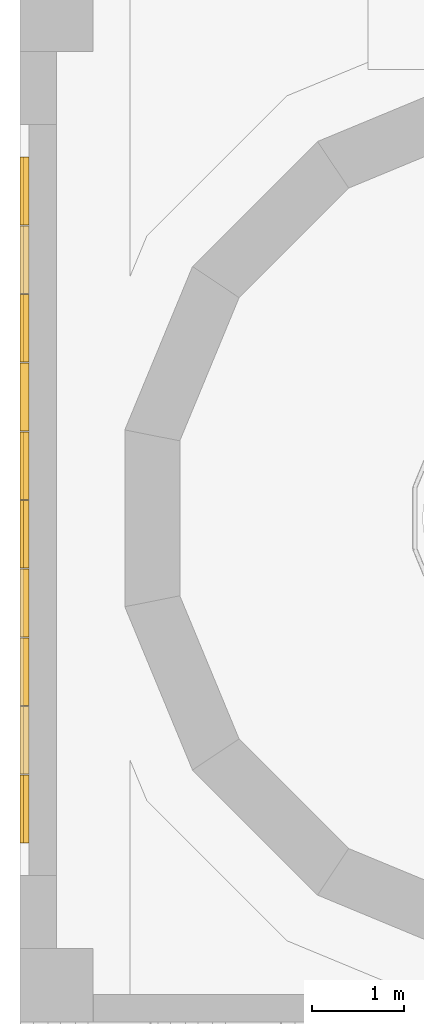
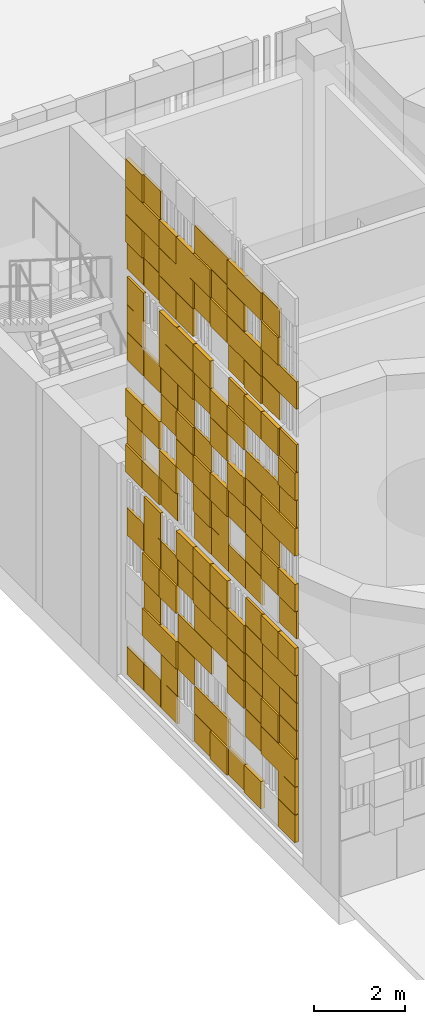
# One storey, part 73 of 125: 4 coverings.
"""IFC4 building model written with IfcOpenShell, lengths in metres."""

from ifc_helpers import new_model, si_unit, direction, frame, origin, origin_2d, place, context, subcontext, project, spatial, rectangle, extrude, material, layer, layer_set, type_object, element, save


model = new_model("IFC4")

# Units and contexts
model_context = context("Model", 3, precision=1e-05, world=origin(), true_north=direction((0.0, 1.0)))
body_context = subcontext(model_context, "Body", "Model", "MODEL_VIEW")
ifc_project = project(units=[si_unit("LENGTHUNIT", "METRE"), si_unit("AREAUNIT", "SQUARE_METRE"), si_unit("VOLUMEUNIT", "CUBIC_METRE"), si_unit("PLANEANGLEUNIT", "RADIAN"), si_unit("MASSUNIT", "GRAM", prefix="KILO")], contexts=[model_context])

# Site, building, storey
site_placement = place(None, origin())
site = spatial("IfcSite", under=ifc_project, at=site_placement, CompositionType="ELEMENT")
building_placement = place(site_placement, origin())
building = spatial("IfcBuilding", under=site, at=building_placement, Name="Sun Court Science Centre", CompositionType="ELEMENT")
storey_placement = place(building_placement, origin())
storey = spatial("IfcBuildingStorey", under=building, at=storey_placement, Name="L00", CompositionType="ELEMENT", Elevation=0.0)

# Coverings
ifc_material_1 = material(Name="Terracotta shade 1", Category="masonry")
ifc_layer_1 = layer(ifc_material_1, 0.06005859375)
ifc_layer_set_1 = layer_set([ifc_layer_1], Name="Terracotta shade 1")
covering_type_1 = type_object("IfcCoveringType", Name="Terracotta pixel panel shade 1", PredefinedType="CLADDING", material=ifc_layer_set_1)
covering_1_placement = place(storey_placement, origin())
element("IfcCovering", 1, at=covering_1_placement, inside=storey, type_object=covering_type_1, Name="Terracotta pixel cladding shade 1 west party wall L00", PredefinedType="CLADDING", context=body_context, shape_type="SweptSolid", body=[
    extrude(rectangle(XDim=0.739990234375, YDim=0.10009765625, at=origin_2d()), frame((0.050048828125, 9.824951171875, 0.22998046875), z_axis=(0.0, 0.0, 1.0), x_axis=(0.0, 1.0, 0.0)), (0.0, 0.0, 1.0), 0.739990234375),
    extrude(rectangle(XDim=0.739990234375, YDim=0.06005859375, at=origin_2d()), frame((0.070068359375, 12.074951171875, 0.22998046875), z_axis=(0.0, 0.0, 1.0), x_axis=(0.0, 1.0, 0.0)), (0.0, 0.0, 1.0), 0.739990234375),
    extrude(rectangle(XDim=0.739990234375, YDim=0.10009765625, at=origin_2d()), frame((0.050048828125, 8.324951171875, 0.97998046875), z_axis=(0.0, 0.0, 1.0), x_axis=(0.0, 1.0, 0.0)), (0.0, 0.0, 1.0), 0.739990234375),
    extrude(rectangle(XDim=0.739990234375, YDim=0.06005859375, at=origin_2d()), frame((0.070068359375, 11.324951171875, 0.97998046875), z_axis=(0.0, 0.0, 1.0), x_axis=(0.0, 1.0, 0.0)), (0.0, 0.0, 1.0), 0.739990234375),
    extrude(rectangle(XDim=0.739990234375, YDim=0.06005859375, at=origin_2d()), frame((0.070068359375, 12.074951171875, 0.97998046875), z_axis=(0.0, 0.0, 1.0), x_axis=(0.0, 1.0, 0.0)), (0.0, 0.0, 1.0), 0.739990234375),
    extrude(rectangle(XDim=0.739990234375, YDim=0.06005859375, at=origin_2d()), frame((0.070068359375, 13.574951171875, 0.97998046875), z_axis=(0.0, 0.0, 1.0), x_axis=(0.0, 1.0, 0.0)), (0.0, 0.0, 1.0), 0.739990234375),
    extrude(rectangle(XDim=0.739990234375, YDim=0.10009765625, at=origin_2d()), frame((0.050048828125, 8.324951171875, 1.72998046875), z_axis=(0.0, 0.0, 1.0), x_axis=(0.0, 1.0, 0.0)), (0.0, 0.0, 1.0), 0.739990234375),
    extrude(rectangle(XDim=0.739990234375, YDim=0.10009765625, at=origin_2d()), frame((0.050048828125, 9.074951171875, 1.72998046875), z_axis=(0.0, 0.0, 1.0), x_axis=(0.0, 1.0, 0.0)), (0.0, 0.0, 1.0), 0.739990234375),
    extrude(rectangle(XDim=0.739990234375, YDim=0.06005859375, at=origin_2d()), frame((0.070068359375, 9.824951171875, 1.72998046875), z_axis=(0.0, 0.0, 1.0), x_axis=(0.0, 1.0, 0.0)), (0.0, 0.0, 1.0), 0.739990234375),
    extrude(rectangle(XDim=0.739990234375, YDim=0.10009765625, at=origin_2d()), frame((0.050048828125, 13.574951171875, 1.72998046875), z_axis=(0.0, 0.0, 1.0), x_axis=(0.0, 1.0, 0.0)), (0.0, 0.0, 1.0), 0.739990234375),
    extrude(rectangle(XDim=0.739990234375, YDim=0.10009765625, at=origin_2d()), frame((0.050048828125, 14.324951171875, 1.72998046875), z_axis=(0.0, 0.0, 1.0), x_axis=(0.0, 1.0, 0.0)), (0.0, 0.0, 1.0), 0.739990234375),
    extrude(rectangle(XDim=0.739990234375, YDim=0.06005859375, at=origin_2d()), frame((0.070068359375, 9.824951171875, 2.47998046875), z_axis=(0.0, 0.0, 1.0), x_axis=(0.0, 1.0, 0.0)), (0.0, 0.0, 1.0), 0.739990234375),
    extrude(rectangle(XDim=0.739990234375, YDim=0.10009765625, at=origin_2d()), frame((0.050048828125, 13.574951171875, 3.22998046875), z_axis=(0.0, 0.0, 1.0), x_axis=(0.0, 1.0, 0.0)), (0.0, 0.0, 1.0), 0.739990234375),
    extrude(rectangle(XDim=0.739990234375, YDim=0.06005859375, at=origin_2d()), frame((0.070068359375, 8.324951171875, 3.97998046875), z_axis=(0.0, 0.0, 1.0), x_axis=(0.0, 1.0, 0.0)), (0.0, 0.0, 1.0), 0.739990234375),
    extrude(rectangle(XDim=0.739990234375, YDim=0.06005859375, at=origin_2d()), frame((0.070068359375, 9.074951171875, 3.97998046875), z_axis=(0.0, 0.0, 1.0), x_axis=(0.0, 1.0, 0.0)), (0.0, 0.0, 1.0), 0.739990234375),
    extrude(rectangle(XDim=0.739990234375, YDim=0.10009765625, at=origin_2d()), frame((0.050048828125, 11.324951171875, 3.97998046875), z_axis=(0.0, 0.0, 1.0), x_axis=(0.0, 1.0, 0.0)), (0.0, 0.0, 1.0), 0.739990234375),
    extrude(rectangle(XDim=0.739990234375, YDim=0.10009765625, at=origin_2d()), frame((0.050048828125, 8.324951171875, 4.72998046875), z_axis=(0.0, 0.0, 1.0), x_axis=(0.0, 1.0, 0.0)), (0.0, 0.0, 1.0), 0.739990234375),
    extrude(rectangle(XDim=0.739990234375, YDim=0.10009765625, at=origin_2d()), frame((0.050048828125, 12.074951171875, 4.72998046875), z_axis=(0.0, 0.0, 1.0), x_axis=(0.0, 1.0, 0.0)), (0.0, 0.0, 1.0), 0.739990234375),
    extrude(rectangle(XDim=0.739990234375, YDim=0.06005859375, at=origin_2d()), frame((0.070068359375, 11.324951171875, 5.705078125), z_axis=(0.0, 0.0, 1.0), x_axis=(0.0, 1.0, 0.0)), (0.0, 0.0, 1.0), 0.739990234375),
    extrude(rectangle(XDim=0.739990234375, YDim=0.10009765625, at=origin_2d()), frame((0.050048828125, 14.324951171875, 5.705078125), z_axis=(0.0, 0.0, 1.0), x_axis=(0.0, 1.0, 0.0)), (0.0, 0.0, 1.0), 0.739990234375),
    extrude(rectangle(XDim=0.739990234375, YDim=0.10009765625, at=origin_2d()), frame((0.050048828125, 8.324951171875, 6.455078125), z_axis=(0.0, 0.0, 1.0), x_axis=(0.0, 1.0, 0.0)), (0.0, 0.0, 1.0), 0.739990234375),
    extrude(rectangle(XDim=0.739990234375, YDim=0.06005859375, at=origin_2d()), frame((0.070068359375, 11.324951171875, 6.455078125), z_axis=(0.0, 0.0, 1.0), x_axis=(0.0, 1.0, 0.0)), (0.0, 0.0, 1.0), 0.739990234375),
    extrude(rectangle(XDim=0.739990234375, YDim=0.10009765625, at=origin_2d()), frame((0.050048828125, 12.074951171875, 6.455078125), z_axis=(0.0, 0.0, 1.0), x_axis=(0.0, 1.0, 0.0)), (0.0, 0.0, 1.0), 0.739990234375),
    extrude(rectangle(XDim=0.739990234375, YDim=0.06005859375, at=origin_2d()), frame((0.070068359375, 9.074951171875, 7.205078125), z_axis=(0.0, 0.0, 1.0), x_axis=(0.0, 1.0, 0.0)), (0.0, 0.0, 1.0), 0.739990234375),
    extrude(rectangle(XDim=0.739990234375, YDim=0.10009765625, at=origin_2d()), frame((0.050048828125, 11.324951171875, 7.205078125), z_axis=(0.0, 0.0, 1.0), x_axis=(0.0, 1.0, 0.0)), (0.0, 0.0, 1.0), 0.739990234375),
    extrude(rectangle(XDim=0.739990234375, YDim=0.10009765625, at=origin_2d()), frame((0.050048828125, 12.824951171875, 7.205078125), z_axis=(0.0, 0.0, 1.0), x_axis=(0.0, 1.0, 0.0)), (0.0, 0.0, 1.0), 0.739990234375),
    extrude(rectangle(XDim=0.739990234375, YDim=0.10009765625, at=origin_2d()), frame((0.050048828125, 10.574951171875, 7.955078125), z_axis=(0.0, 0.0, 1.0), x_axis=(0.0, 1.0, 0.0)), (0.0, 0.0, 1.0), 0.739990234375),
    extrude(rectangle(XDim=0.739990234375, YDim=0.10009765625, at=origin_2d()), frame((0.050048828125, 12.824951171875, 7.955078125), z_axis=(0.0, 0.0, 1.0), x_axis=(0.0, 1.0, 0.0)), (0.0, 0.0, 1.0), 0.739990234375),
    extrude(rectangle(XDim=0.739990234375, YDim=0.06005859375, at=origin_2d()), frame((0.070068359375, 8.324951171875, 8.705078125), z_axis=(0.0, 0.0, 1.0), x_axis=(0.0, 1.0, 0.0)), (0.0, 0.0, 1.0), 0.739990234375),
    extrude(rectangle(XDim=0.739990234375, YDim=0.10009765625, at=origin_2d()), frame((0.050048828125, 12.824951171875, 9.455078125), z_axis=(0.0, 0.0, 1.0), x_axis=(0.0, 1.0, 0.0)), (0.0, 0.0, 1.0), 0.739990234375),
    extrude(rectangle(XDim=0.739990234375, YDim=0.10009765625, at=origin_2d()), frame((0.050048828125, 13.574951171875, 9.455078125), z_axis=(0.0, 0.0, 1.0), x_axis=(0.0, 1.0, 0.0)), (0.0, 0.0, 1.0), 0.739990234375),
    extrude(rectangle(XDim=0.739990234375, YDim=0.06005859375, at=origin_2d()), frame((0.070068359375, 15.074951171875, 9.455078125), z_axis=(0.0, 0.0, 1.0), x_axis=(0.0, 1.0, 0.0)), (0.0, 0.0, 1.0), 0.739990234375),
    extrude(rectangle(XDim=0.739990234375, YDim=0.10009765625, at=origin_2d()), frame((0.050048828125, 9.074951171875, 10.205078125), z_axis=(0.0, 0.0, 1.0), x_axis=(0.0, 1.0, 0.0)), (0.0, 0.0, 1.0), 0.739990234375),
    extrude(rectangle(XDim=0.739990234375, YDim=0.10009765625, at=origin_2d()), frame((0.050048828125, 12.824951171875, 10.205078125), z_axis=(0.0, 0.0, 1.0), x_axis=(0.0, 1.0, 0.0)), (0.0, 0.0, 1.0), 0.739990234375),
    extrude(rectangle(XDim=0.739990234375, YDim=0.10009765625, at=origin_2d()), frame((0.050048828125, 13.574951171875, 10.205078125), z_axis=(0.0, 0.0, 1.0), x_axis=(0.0, 1.0, 0.0)), (0.0, 0.0, 1.0), 0.739990234375),
    extrude(rectangle(XDim=0.739990234375, YDim=0.06005859375, at=origin_2d()), frame((0.070068359375, 15.074951171875, 10.205078125), z_axis=(0.0, 0.0, 1.0), x_axis=(0.0, 1.0, 0.0)), (0.0, 0.0, 1.0), 0.739990234375),
    extrude(rectangle(XDim=0.739990234375, YDim=0.10009765625, at=origin_2d()), frame((0.050048828125, 13.574951171875, 11.15478515625), z_axis=(0.0, 0.0, 1.0), x_axis=(0.0, 1.0, 0.0)), (0.0, 0.0, 1.0), 0.739990234375),
    extrude(rectangle(XDim=0.739990234375, YDim=0.06005859375, at=origin_2d()), frame((0.070068359375, 14.324951171875, 11.15478515625), z_axis=(0.0, 0.0, 1.0), x_axis=(0.0, 1.0, 0.0)), (0.0, 0.0, 1.0), 0.739990234375),
    extrude(rectangle(XDim=0.739990234375, YDim=0.10009765625, at=origin_2d()), frame((0.050048828125, 9.824951171875, 11.90478515625), z_axis=(0.0, 0.0, 1.0), x_axis=(0.0, 1.0, 0.0)), (0.0, 0.0, 1.0), 0.739990234375),
    extrude(rectangle(XDim=0.739990234375, YDim=0.10009765625, at=origin_2d()), frame((0.050048828125, 10.574951171875, 11.90478515625), z_axis=(0.0, 0.0, 1.0), x_axis=(0.0, 1.0, 0.0)), (0.0, 0.0, 1.0), 0.739990234375),
    extrude(rectangle(XDim=0.739990234375, YDim=0.06005859375, at=origin_2d()), frame((0.070068359375, 12.074951171875, 11.90478515625), z_axis=(0.0, 0.0, 1.0), x_axis=(0.0, 1.0, 0.0)), (0.0, 0.0, 1.0), 0.739990234375),
    extrude(rectangle(XDim=0.739990234375, YDim=0.10009765625, at=origin_2d()), frame((0.050048828125, 13.574951171875, 12.65478515625), z_axis=(0.0, 0.0, 1.0), x_axis=(0.0, 1.0, 0.0)), (0.0, 0.0, 1.0), 0.739990234375),
    extrude(rectangle(XDim=0.739990234375, YDim=0.06005859375, at=origin_2d()), frame((0.070068359375, 9.074951171875, 13.40478515625), z_axis=(0.0, 0.0, 1.0), x_axis=(0.0, 1.0, 0.0)), (0.0, 0.0, 1.0), 0.739990234375),
    extrude(rectangle(XDim=0.739990234375, YDim=0.06005859375, at=origin_2d()), frame((0.070068359375, 11.324951171875, 13.40478515625), z_axis=(0.0, 0.0, 1.0), x_axis=(0.0, 1.0, 0.0)), (0.0, 0.0, 1.0), 0.739990234375),
    extrude(rectangle(XDim=0.739990234375, YDim=0.06005859375, at=origin_2d()), frame((0.070068359375, 12.074951171875, 13.40478515625), z_axis=(0.0, 0.0, 1.0), x_axis=(0.0, 1.0, 0.0)), (0.0, 0.0, 1.0), 0.739990234375),
    extrude(rectangle(XDim=0.739990234375, YDim=0.06005859375, at=origin_2d()), frame((0.070068359375, 13.574951171875, 0.22998046875), z_axis=(0.0, 0.0, 1.0), x_axis=(0.0, 1.0, 0.0)), (0.0, 0.0, 1.0), 0.739990234375),
    extrude(rectangle(XDim=0.739990234375, YDim=0.06005859375, at=origin_2d()), frame((0.070068359375, 14.324951171875, 0.22998046875), z_axis=(0.0, 0.0, 1.0), x_axis=(0.0, 1.0, 0.0)), (0.0, 0.0, 1.0), 0.739990234375),
    extrude(rectangle(XDim=0.739990234375, YDim=0.06005859375, at=origin_2d()), frame((0.070068359375, 15.074951171875, 0.22998046875), z_axis=(0.0, 0.0, 1.0), x_axis=(0.0, 1.0, 0.0)), (0.0, 0.0, 1.0), 0.739990234375),
    extrude(rectangle(XDim=0.739990234375, YDim=0.10009765625, at=origin_2d()), frame((0.050048828125, 9.824951171875, 13.40478515625), z_axis=(0.0, 0.0, 1.0), x_axis=(0.0, 1.0, 0.0)), (0.0, 0.0, 1.0), 0.739990234375),
    extrude(rectangle(XDim=0.739990234375, YDim=0.10009765625, at=origin_2d()), frame((0.050048828125, 15.074951171875, 13.40478515625), z_axis=(0.0, 0.0, 1.0), x_axis=(0.0, 1.0, 0.0)), (0.0, 0.0, 1.0), 0.739990234375),
    extrude(rectangle(XDim=0.739990234375, YDim=0.10009765625, at=origin_2d()), frame((0.050048828125, 11.324951171875, 0.22998046875), z_axis=(0.0, 0.0, 1.0), x_axis=(0.0, 1.0, 0.0)), (0.0, 0.0, 1.0), 0.739990234375),
    extrude(rectangle(XDim=0.739990234375, YDim=0.06005859375, at=origin_2d()), frame((0.070068359375, 14.324951171875, 13.40478515625), z_axis=(0.0, 0.0, 1.0), x_axis=(0.0, 1.0, 0.0)), (0.0, 0.0, 1.0), 0.739990234375),
    extrude(rectangle(XDim=0.739990234375, YDim=0.10009765625, at=origin_2d()), frame((0.050048828125, 8.324951171875, 0.22998046875), z_axis=(0.0, 0.0, 1.0), x_axis=(0.0, 1.0, 0.0)), (0.0, 0.0, 1.0), 0.739990234375),
    extrude(rectangle(XDim=0.739990234375, YDim=0.06005859375, at=origin_2d()), frame((0.070068359375, 10.574951171875, 0.22998046875), z_axis=(0.0, 0.0, 1.0), x_axis=(0.0, 1.0, 0.0)), (0.0, 0.0, 1.0), 0.739990234375),
    extrude(rectangle(XDim=0.739990234375, YDim=0.10009765625, at=origin_2d()), frame((0.050048828125, 10.574951171875, 13.40478515625), z_axis=(0.0, 0.0, 1.0), x_axis=(0.0, 1.0, 0.0)), (0.0, 0.0, 1.0), 0.739990234375),
])
ifc_material_2 = material(Name="Terracotta shade 2", Category="masonry")
ifc_layer_2 = layer(ifc_material_2, 0.06005859375)
ifc_layer_set_2 = layer_set([ifc_layer_2], Name="Terracotta shade 2")
covering_type_2 = type_object("IfcCoveringType", Name="Terracotta pixel panel shade 2", PredefinedType="CLADDING", material=ifc_layer_set_2)
covering_2_placement = place(storey_placement, origin())
element("IfcCovering", 2, at=covering_2_placement, inside=storey, type_object=covering_type_2, Name="Terracotta pixel cladding shade 2 west party wall L00", PredefinedType="CLADDING", context=body_context, shape_type="SweptSolid", body=[
    extrude(rectangle(XDim=0.739990234375, YDim=0.06005859375, at=origin_2d()), frame((0.070068359375, 12.824951171875, 1.72998046875), z_axis=(0.0, 0.0, 1.0), x_axis=(0.0, 1.0, 0.0)), (0.0, 0.0, 1.0), 0.739990234375),
    extrude(rectangle(XDim=0.739990234375, YDim=0.06005859375, at=origin_2d()), frame((0.070068359375, 9.074951171875, 3.22998046875), z_axis=(0.0, 0.0, 1.0), x_axis=(0.0, 1.0, 0.0)), (0.0, 0.0, 1.0), 0.739990234375),
    extrude(rectangle(XDim=0.739990234375, YDim=0.10009765625, at=origin_2d()), frame((0.050048828125, 10.574951171875, 3.22998046875), z_axis=(0.0, 0.0, 1.0), x_axis=(0.0, 1.0, 0.0)), (0.0, 0.0, 1.0), 0.739990234375),
    extrude(rectangle(XDim=0.739990234375, YDim=0.06005859375, at=origin_2d()), frame((0.070068359375, 11.324951171875, 3.22998046875), z_axis=(0.0, 0.0, 1.0), x_axis=(0.0, 1.0, 0.0)), (0.0, 0.0, 1.0), 0.739990234375),
    extrude(rectangle(XDim=0.739990234375, YDim=0.06005859375, at=origin_2d()), frame((0.070068359375, 12.074951171875, 3.22998046875), z_axis=(0.0, 0.0, 1.0), x_axis=(0.0, 1.0, 0.0)), (0.0, 0.0, 1.0), 0.739990234375),
    extrude(rectangle(XDim=0.739990234375, YDim=0.10009765625, at=origin_2d()), frame((0.050048828125, 10.574951171875, 3.97998046875), z_axis=(0.0, 0.0, 1.0), x_axis=(0.0, 1.0, 0.0)), (0.0, 0.0, 1.0), 0.739990234375),
    extrude(rectangle(XDim=0.739990234375, YDim=0.10009765625, at=origin_2d()), frame((0.050048828125, 12.074951171875, 3.97998046875), z_axis=(0.0, 0.0, 1.0), x_axis=(0.0, 1.0, 0.0)), (0.0, 0.0, 1.0), 0.739990234375),
    extrude(rectangle(XDim=0.739990234375, YDim=0.06005859375, at=origin_2d()), frame((0.070068359375, 14.324951171875, 3.97998046875), z_axis=(0.0, 0.0, 1.0), x_axis=(0.0, 1.0, 0.0)), (0.0, 0.0, 1.0), 0.739990234375),
    extrude(rectangle(XDim=0.739990234375, YDim=0.06005859375, at=origin_2d()), frame((0.070068359375, 15.074951171875, 3.97998046875), z_axis=(0.0, 0.0, 1.0), x_axis=(0.0, 1.0, 0.0)), (0.0, 0.0, 1.0), 0.739990234375),
    extrude(rectangle(XDim=0.739990234375, YDim=0.06005859375, at=origin_2d()), frame((0.070068359375, 14.324951171875, 4.72998046875), z_axis=(0.0, 0.0, 1.0), x_axis=(0.0, 1.0, 0.0)), (0.0, 0.0, 1.0), 0.739990234375),
    extrude(rectangle(XDim=0.739990234375, YDim=0.06005859375, at=origin_2d()), frame((0.070068359375, 9.824951171875, 5.705078125), z_axis=(0.0, 0.0, 1.0), x_axis=(0.0, 1.0, 0.0)), (0.0, 0.0, 1.0), 0.739990234375),
    extrude(rectangle(XDim=0.739990234375, YDim=0.06005859375, at=origin_2d()), frame((0.070068359375, 12.074951171875, 5.705078125), z_axis=(0.0, 0.0, 1.0), x_axis=(0.0, 1.0, 0.0)), (0.0, 0.0, 1.0), 0.739990234375),
    extrude(rectangle(XDim=0.739990234375, YDim=0.10009765625, at=origin_2d()), frame((0.050048828125, 9.074951171875, 6.455078125), z_axis=(0.0, 0.0, 1.0), x_axis=(0.0, 1.0, 0.0)), (0.0, 0.0, 1.0), 0.739990234375),
    extrude(rectangle(XDim=0.739990234375, YDim=0.06005859375, at=origin_2d()), frame((0.070068359375, 15.074951171875, 6.455078125), z_axis=(0.0, 0.0, 1.0), x_axis=(0.0, 1.0, 0.0)), (0.0, 0.0, 1.0), 0.739990234375),
    extrude(rectangle(XDim=0.739990234375, YDim=0.06005859375, at=origin_2d()), frame((0.070068359375, 9.824951171875, 7.205078125), z_axis=(0.0, 0.0, 1.0), x_axis=(0.0, 1.0, 0.0)), (0.0, 0.0, 1.0), 0.739990234375),
    extrude(rectangle(XDim=0.739990234375, YDim=0.10009765625, at=origin_2d()), frame((0.050048828125, 8.324951171875, 7.955078125), z_axis=(0.0, 0.0, 1.0), x_axis=(0.0, 1.0, 0.0)), (0.0, 0.0, 1.0), 0.739990234375),
    extrude(rectangle(XDim=0.739990234375, YDim=0.10009765625, at=origin_2d()), frame((0.050048828125, 9.074951171875, 7.955078125), z_axis=(0.0, 0.0, 1.0), x_axis=(0.0, 1.0, 0.0)), (0.0, 0.0, 1.0), 0.739990234375),
    extrude(rectangle(XDim=0.739990234375, YDim=0.06005859375, at=origin_2d()), frame((0.070068359375, 9.824951171875, 7.955078125), z_axis=(0.0, 0.0, 1.0), x_axis=(0.0, 1.0, 0.0)), (0.0, 0.0, 1.0), 0.739990234375),
    extrude(rectangle(XDim=0.739990234375, YDim=0.06005859375, at=origin_2d()), frame((0.070068359375, 12.074951171875, 7.955078125), z_axis=(0.0, 0.0, 1.0), x_axis=(0.0, 1.0, 0.0)), (0.0, 0.0, 1.0), 0.739990234375),
    extrude(rectangle(XDim=0.739990234375, YDim=0.06005859375, at=origin_2d()), frame((0.070068359375, 12.824951171875, 8.705078125), z_axis=(0.0, 0.0, 1.0), x_axis=(0.0, 1.0, 0.0)), (0.0, 0.0, 1.0), 0.739990234375),
    extrude(rectangle(XDim=0.739990234375, YDim=0.06005859375, at=origin_2d()), frame((0.070068359375, 13.574951171875, 8.705078125), z_axis=(0.0, 0.0, 1.0), x_axis=(0.0, 1.0, 0.0)), (0.0, 0.0, 1.0), 0.739990234375),
    extrude(rectangle(XDim=0.739990234375, YDim=0.10009765625, at=origin_2d()), frame((0.050048828125, 11.324951171875, 9.455078125), z_axis=(0.0, 0.0, 1.0), x_axis=(0.0, 1.0, 0.0)), (0.0, 0.0, 1.0), 0.739990234375),
    extrude(rectangle(XDim=0.739990234375, YDim=0.06005859375, at=origin_2d()), frame((0.070068359375, 8.324951171875, 10.205078125), z_axis=(0.0, 0.0, 1.0), x_axis=(0.0, 1.0, 0.0)), (0.0, 0.0, 1.0), 0.739990234375),
    extrude(rectangle(XDim=0.739990234375, YDim=0.10009765625, at=origin_2d()), frame((0.050048828125, 9.824951171875, 10.205078125), z_axis=(0.0, 0.0, 1.0), x_axis=(0.0, 1.0, 0.0)), (0.0, 0.0, 1.0), 0.739990234375),
    extrude(rectangle(XDim=0.739990234375, YDim=0.06005859375, at=origin_2d()), frame((0.070068359375, 10.574951171875, 11.15478515625), z_axis=(0.0, 0.0, 1.0), x_axis=(0.0, 1.0, 0.0)), (0.0, 0.0, 1.0), 0.739990234375),
    extrude(rectangle(XDim=0.739990234375, YDim=0.10009765625, at=origin_2d()), frame((0.050048828125, 12.824951171875, 11.15478515625), z_axis=(0.0, 0.0, 1.0), x_axis=(0.0, 1.0, 0.0)), (0.0, 0.0, 1.0), 0.739990234375),
    extrude(rectangle(XDim=0.739990234375, YDim=0.10009765625, at=origin_2d()), frame((0.050048828125, 12.824951171875, 11.90478515625), z_axis=(0.0, 0.0, 1.0), x_axis=(0.0, 1.0, 0.0)), (0.0, 0.0, 1.0), 0.739990234375),
    extrude(rectangle(XDim=0.739990234375, YDim=0.10009765625, at=origin_2d()), frame((0.050048828125, 13.574951171875, 11.90478515625), z_axis=(0.0, 0.0, 1.0), x_axis=(0.0, 1.0, 0.0)), (0.0, 0.0, 1.0), 0.739990234375),
    extrude(rectangle(XDim=0.739990234375, YDim=0.10009765625, at=origin_2d()), frame((0.050048828125, 15.074951171875, 11.90478515625), z_axis=(0.0, 0.0, 1.0), x_axis=(0.0, 1.0, 0.0)), (0.0, 0.0, 1.0), 0.739990234375),
    extrude(rectangle(XDim=0.739990234375, YDim=0.10009765625, at=origin_2d()), frame((0.050048828125, 12.074951171875, 12.65478515625), z_axis=(0.0, 0.0, 1.0), x_axis=(0.0, 1.0, 0.0)), (0.0, 0.0, 1.0), 0.739990234375),
    extrude(rectangle(XDim=0.739990234375, YDim=0.06005859375, at=origin_2d()), frame((0.070068359375, 11.324951171875, 12.65478515625), z_axis=(0.0, 0.0, 1.0), x_axis=(0.0, 1.0, 0.0)), (0.0, 0.0, 1.0), 0.739990234375),
    extrude(rectangle(XDim=0.739990234375, YDim=0.10009765625, at=origin_2d()), frame((0.050048828125, 10.574951171875, 12.65478515625), z_axis=(0.0, 0.0, 1.0), x_axis=(0.0, 1.0, 0.0)), (0.0, 0.0, 1.0), 0.739990234375),
    extrude(rectangle(XDim=0.739990234375, YDim=0.10009765625, at=origin_2d()), frame((0.050048828125, 12.824951171875, 12.65478515625), z_axis=(0.0, 0.0, 1.0), x_axis=(0.0, 1.0, 0.0)), (0.0, 0.0, 1.0), 0.739990234375),
    extrude(rectangle(XDim=0.739990234375, YDim=0.10009765625, at=origin_2d()), frame((0.050048828125, 15.074951171875, 12.65478515625), z_axis=(0.0, 0.0, 1.0), x_axis=(0.0, 1.0, 0.0)), (0.0, 0.0, 1.0), 0.739990234375),
    extrude(rectangle(XDim=0.739990234375, YDim=0.10009765625, at=origin_2d()), frame((0.050048828125, 9.074951171875, 12.65478515625), z_axis=(0.0, 0.0, 1.0), x_axis=(0.0, 1.0, 0.0)), (0.0, 0.0, 1.0), 0.739990234375),
    extrude(rectangle(XDim=0.739990234375, YDim=0.10009765625, at=origin_2d()), frame((0.050048828125, 14.324951171875, 12.65478515625), z_axis=(0.0, 0.0, 1.0), x_axis=(0.0, 1.0, 0.0)), (0.0, 0.0, 1.0), 0.739990234375),
])
ifc_material_3 = material(Name="Terracotta shade 3", Category="masonry")
ifc_layer_3 = layer(ifc_material_3, 0.06005859375)
ifc_layer_set_3 = layer_set([ifc_layer_3], Name="Terracotta shade 3")
covering_type_3 = type_object("IfcCoveringType", Name="Terracotta pixel panel shade 3", PredefinedType="CLADDING", material=ifc_layer_set_3)
covering_3_placement = place(storey_placement, origin())
element("IfcCovering", 3, at=covering_3_placement, inside=storey, type_object=covering_type_3, Name="Terracotta pixel cladding shade 3 west party wall L00", PredefinedType="CLADDING", context=body_context, shape_type="SweptSolid", body=[
    extrude(rectangle(XDim=0.739990234375, YDim=0.06005859375, at=origin_2d()), frame((0.070068359375, 8.324951171875, 2.47998046875), z_axis=(0.0, 0.0, 1.0), x_axis=(0.0, 1.0, 0.0)), (0.0, 0.0, 1.0), 0.739990234375),
    extrude(rectangle(XDim=0.739990234375, YDim=0.10009765625, at=origin_2d()), frame((0.050048828125, 9.074951171875, 2.47998046875), z_axis=(0.0, 0.0, 1.0), x_axis=(0.0, 1.0, 0.0)), (0.0, 0.0, 1.0), 0.739990234375),
    extrude(rectangle(XDim=0.739990234375, YDim=0.10009765625, at=origin_2d()), frame((0.050048828125, 10.574951171875, 2.47998046875), z_axis=(0.0, 0.0, 1.0), x_axis=(0.0, 1.0, 0.0)), (0.0, 0.0, 1.0), 0.739990234375),
    extrude(rectangle(XDim=0.739990234375, YDim=0.06005859375, at=origin_2d()), frame((0.070068359375, 12.824951171875, 2.47998046875), z_axis=(0.0, 0.0, 1.0), x_axis=(0.0, 1.0, 0.0)), (0.0, 0.0, 1.0), 0.739990234375),
    extrude(rectangle(XDim=0.739990234375, YDim=0.06005859375, at=origin_2d()), frame((0.070068359375, 8.324951171875, 3.22998046875), z_axis=(0.0, 0.0, 1.0), x_axis=(0.0, 1.0, 0.0)), (0.0, 0.0, 1.0), 0.739990234375),
    extrude(rectangle(XDim=0.739990234375, YDim=0.10009765625, at=origin_2d()), frame((0.050048828125, 14.324951171875, 3.22998046875), z_axis=(0.0, 0.0, 1.0), x_axis=(0.0, 1.0, 0.0)), (0.0, 0.0, 1.0), 0.739990234375),
    extrude(rectangle(XDim=0.739990234375, YDim=0.06005859375, at=origin_2d()), frame((0.070068359375, 12.824951171875, 3.97998046875), z_axis=(0.0, 0.0, 1.0), x_axis=(0.0, 1.0, 0.0)), (0.0, 0.0, 1.0), 0.739990234375),
    extrude(rectangle(XDim=0.739990234375, YDim=0.06005859375, at=origin_2d()), frame((0.070068359375, 13.574951171875, 3.97998046875), z_axis=(0.0, 0.0, 1.0), x_axis=(0.0, 1.0, 0.0)), (0.0, 0.0, 1.0), 0.739990234375),
    extrude(rectangle(XDim=0.739990234375, YDim=0.10009765625, at=origin_2d()), frame((0.050048828125, 9.074951171875, 4.72998046875), z_axis=(0.0, 0.0, 1.0), x_axis=(0.0, 1.0, 0.0)), (0.0, 0.0, 1.0), 0.739990234375),
    extrude(rectangle(XDim=0.739990234375, YDim=0.06005859375, at=origin_2d()), frame((0.070068359375, 8.324951171875, 5.705078125), z_axis=(0.0, 0.0, 1.0), x_axis=(0.0, 1.0, 0.0)), (0.0, 0.0, 1.0), 0.739990234375),
    extrude(rectangle(XDim=0.739990234375, YDim=0.10009765625, at=origin_2d()), frame((0.050048828125, 15.074951171875, 5.705078125), z_axis=(0.0, 0.0, 1.0), x_axis=(0.0, 1.0, 0.0)), (0.0, 0.0, 1.0), 0.739990234375),
    extrude(rectangle(XDim=0.739990234375, YDim=0.06005859375, at=origin_2d()), frame((0.070068359375, 9.824951171875, 6.455078125), z_axis=(0.0, 0.0, 1.0), x_axis=(0.0, 1.0, 0.0)), (0.0, 0.0, 1.0), 0.739990234375),
    extrude(rectangle(XDim=0.739990234375, YDim=0.10009765625, at=origin_2d()), frame((0.050048828125, 13.574951171875, 6.455078125), z_axis=(0.0, 0.0, 1.0), x_axis=(0.0, 1.0, 0.0)), (0.0, 0.0, 1.0), 0.739990234375),
    extrude(rectangle(XDim=0.739990234375, YDim=0.06005859375, at=origin_2d()), frame((0.070068359375, 10.574951171875, 7.205078125), z_axis=(0.0, 0.0, 1.0), x_axis=(0.0, 1.0, 0.0)), (0.0, 0.0, 1.0), 0.739990234375),
    extrude(rectangle(XDim=0.739990234375, YDim=0.10009765625, at=origin_2d()), frame((0.050048828125, 12.074951171875, 7.205078125), z_axis=(0.0, 0.0, 1.0), x_axis=(0.0, 1.0, 0.0)), (0.0, 0.0, 1.0), 0.739990234375),
    extrude(rectangle(XDim=0.739990234375, YDim=0.10009765625, at=origin_2d()), frame((0.050048828125, 14.324951171875, 7.205078125), z_axis=(0.0, 0.0, 1.0), x_axis=(0.0, 1.0, 0.0)), (0.0, 0.0, 1.0), 0.739990234375),
    extrude(rectangle(XDim=0.739990234375, YDim=0.06005859375, at=origin_2d()), frame((0.070068359375, 9.074951171875, 8.705078125), z_axis=(0.0, 0.0, 1.0), x_axis=(0.0, 1.0, 0.0)), (0.0, 0.0, 1.0), 0.739990234375),
    extrude(rectangle(XDim=0.739990234375, YDim=0.06005859375, at=origin_2d()), frame((0.070068359375, 9.824951171875, 8.705078125), z_axis=(0.0, 0.0, 1.0), x_axis=(0.0, 1.0, 0.0)), (0.0, 0.0, 1.0), 0.739990234375),
    extrude(rectangle(XDim=0.739990234375, YDim=0.10009765625, at=origin_2d()), frame((0.050048828125, 11.324951171875, 8.705078125), z_axis=(0.0, 0.0, 1.0), x_axis=(0.0, 1.0, 0.0)), (0.0, 0.0, 1.0), 0.739990234375),
    extrude(rectangle(XDim=0.739990234375, YDim=0.06005859375, at=origin_2d()), frame((0.070068359375, 14.324951171875, 8.705078125), z_axis=(0.0, 0.0, 1.0), x_axis=(0.0, 1.0, 0.0)), (0.0, 0.0, 1.0), 0.739990234375),
    extrude(rectangle(XDim=0.739990234375, YDim=0.10009765625, at=origin_2d()), frame((0.050048828125, 10.574951171875, 9.455078125), z_axis=(0.0, 0.0, 1.0), x_axis=(0.0, 1.0, 0.0)), (0.0, 0.0, 1.0), 0.739990234375),
    extrude(rectangle(XDim=0.739990234375, YDim=0.06005859375, at=origin_2d()), frame((0.070068359375, 9.074951171875, 11.15478515625), z_axis=(0.0, 0.0, 1.0), x_axis=(0.0, 1.0, 0.0)), (0.0, 0.0, 1.0), 0.739990234375),
    extrude(rectangle(XDim=0.739990234375, YDim=0.10009765625, at=origin_2d()), frame((0.050048828125, 9.824951171875, 11.15478515625), z_axis=(0.0, 0.0, 1.0), x_axis=(0.0, 1.0, 0.0)), (0.0, 0.0, 1.0), 0.739990234375),
    extrude(rectangle(XDim=0.739990234375, YDim=0.06005859375, at=origin_2d()), frame((0.070068359375, 15.074951171875, 11.15478515625), z_axis=(0.0, 0.0, 1.0), x_axis=(0.0, 1.0, 0.0)), (0.0, 0.0, 1.0), 0.739990234375),
    extrude(rectangle(XDim=0.739990234375, YDim=0.06005859375, at=origin_2d()), frame((0.070068359375, 8.324951171875, 11.90478515625), z_axis=(0.0, 0.0, 1.0), x_axis=(0.0, 1.0, 0.0)), (0.0, 0.0, 1.0), 0.739990234375),
    extrude(rectangle(XDim=0.739990234375, YDim=0.06005859375, at=origin_2d()), frame((0.070068359375, 12.074951171875, 2.47998046875), z_axis=(0.0, 0.0, 1.0), x_axis=(0.0, 1.0, 0.0)), (0.0, 0.0, 1.0), 0.739990234375),
    extrude(rectangle(XDim=0.739990234375, YDim=0.06005859375, at=origin_2d()), frame((0.070068359375, 14.324951171875, 2.47998046875), z_axis=(0.0, 0.0, 1.0), x_axis=(0.0, 1.0, 0.0)), (0.0, 0.0, 1.0), 0.739990234375),
    extrude(rectangle(XDim=0.739990234375, YDim=0.10009765625, at=origin_2d()), frame((0.050048828125, 11.324951171875, 11.90478515625), z_axis=(0.0, 0.0, 1.0), x_axis=(0.0, 1.0, 0.0)), (0.0, 0.0, 1.0), 0.739990234375),
    extrude(rectangle(XDim=0.739990234375, YDim=0.06005859375, at=origin_2d()), frame((0.070068359375, 14.324951171875, 11.90478515625), z_axis=(0.0, 0.0, 1.0), x_axis=(0.0, 1.0, 0.0)), (0.0, 0.0, 1.0), 0.739990234375),
    extrude(rectangle(XDim=0.739990234375, YDim=0.06005859375, at=origin_2d()), frame((0.070068359375, 9.074951171875, 11.90478515625), z_axis=(0.0, 0.0, 1.0), x_axis=(0.0, 1.0, 0.0)), (0.0, 0.0, 1.0), 0.739990234375),
])
ifc_material_4 = material(Name="Terracotta shade 4", Category="masonry")
ifc_layer_4 = layer(ifc_material_4, 0.06005859375)
ifc_layer_set_4 = layer_set([ifc_layer_4], Name="Terracotta shade 4")
covering_type_4 = type_object("IfcCoveringType", Name="Terracotta pixel panel shade 4", PredefinedType="CLADDING", material=ifc_layer_set_4)
covering_4_placement = place(storey_placement, origin())
element("IfcCovering", 4, at=covering_4_placement, inside=storey, type_object=covering_type_4, Name="Terracotta pixel cladding shade 4 west party wall L00", PredefinedType="CLADDING", context=body_context, shape_type="SweptSolid", body=[
    extrude(rectangle(XDim=0.739990234375, YDim=0.06005859375, at=origin_2d()), frame((0.070068359375, 9.824951171875, 3.22998046875), z_axis=(0.0, 0.0, 1.0), x_axis=(0.0, 1.0, 0.0)), (0.0, 0.0, 1.0), 0.739990234375),
    extrude(rectangle(XDim=0.739990234375, YDim=0.06005859375, at=origin_2d()), frame((0.070068359375, 9.824951171875, 3.97998046875), z_axis=(0.0, 0.0, 1.0), x_axis=(0.0, 1.0, 0.0)), (0.0, 0.0, 1.0), 0.739990234375),
    extrude(rectangle(XDim=0.739990234375, YDim=0.06005859375, at=origin_2d()), frame((0.070068359375, 9.824951171875, 4.72998046875), z_axis=(0.0, 0.0, 1.0), x_axis=(0.0, 1.0, 0.0)), (0.0, 0.0, 1.0), 0.739990234375),
    extrude(rectangle(XDim=0.739990234375, YDim=0.10009765625, at=origin_2d()), frame((0.050048828125, 11.324951171875, 4.72998046875), z_axis=(0.0, 0.0, 1.0), x_axis=(0.0, 1.0, 0.0)), (0.0, 0.0, 1.0), 0.739990234375),
    extrude(rectangle(XDim=0.739990234375, YDim=0.10009765625, at=origin_2d()), frame((0.050048828125, 12.824951171875, 4.72998046875), z_axis=(0.0, 0.0, 1.0), x_axis=(0.0, 1.0, 0.0)), (0.0, 0.0, 1.0), 0.739990234375),
    extrude(rectangle(XDim=0.739990234375, YDim=0.06005859375, at=origin_2d()), frame((0.070068359375, 10.574951171875, 5.705078125), z_axis=(0.0, 0.0, 1.0), x_axis=(0.0, 1.0, 0.0)), (0.0, 0.0, 1.0), 0.739990234375),
    extrude(rectangle(XDim=0.739990234375, YDim=0.06005859375, at=origin_2d()), frame((0.070068359375, 13.574951171875, 5.705078125), z_axis=(0.0, 0.0, 1.0), x_axis=(0.0, 1.0, 0.0)), (0.0, 0.0, 1.0), 0.739990234375),
    extrude(rectangle(XDim=0.739990234375, YDim=0.10009765625, at=origin_2d()), frame((0.050048828125, 15.074951171875, 7.205078125), z_axis=(0.0, 0.0, 1.0), x_axis=(0.0, 1.0, 0.0)), (0.0, 0.0, 1.0), 0.739990234375),
    extrude(rectangle(XDim=0.739990234375, YDim=0.06005859375, at=origin_2d()), frame((0.070068359375, 13.574951171875, 7.955078125), z_axis=(0.0, 0.0, 1.0), x_axis=(0.0, 1.0, 0.0)), (0.0, 0.0, 1.0), 0.739990234375),
    extrude(rectangle(XDim=0.739990234375, YDim=0.06005859375, at=origin_2d()), frame((0.070068359375, 15.074951171875, 8.705078125), z_axis=(0.0, 0.0, 1.0), x_axis=(0.0, 1.0, 0.0)), (0.0, 0.0, 1.0), 0.739990234375),
    extrude(rectangle(XDim=0.739990234375, YDim=0.10009765625, at=origin_2d()), frame((0.050048828125, 8.324951171875, 9.455078125), z_axis=(0.0, 0.0, 1.0), x_axis=(0.0, 1.0, 0.0)), (0.0, 0.0, 1.0), 0.739990234375),
    extrude(rectangle(XDim=0.739990234375, YDim=0.06005859375, at=origin_2d()), frame((0.070068359375, 12.074951171875, 9.455078125), z_axis=(0.0, 0.0, 1.0), x_axis=(0.0, 1.0, 0.0)), (0.0, 0.0, 1.0), 0.739990234375),
    extrude(rectangle(XDim=0.739990234375, YDim=0.06005859375, at=origin_2d()), frame((0.070068359375, 10.574951171875, 10.205078125), z_axis=(0.0, 0.0, 1.0), x_axis=(0.0, 1.0, 0.0)), (0.0, 0.0, 1.0), 0.739990234375),
    extrude(rectangle(XDim=0.739990234375, YDim=0.10009765625, at=origin_2d()), frame((0.050048828125, 12.074951171875, 10.205078125), z_axis=(0.0, 0.0, 1.0), x_axis=(0.0, 1.0, 0.0)), (0.0, 0.0, 1.0), 0.739990234375),
])

save(model, "model.ifc")
